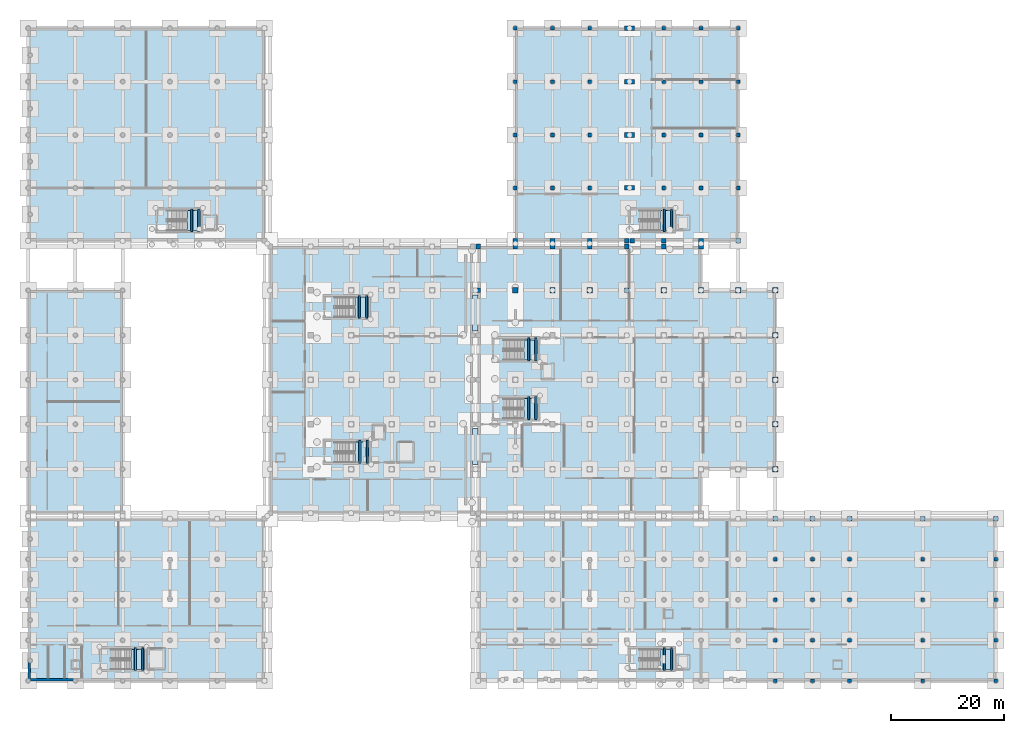
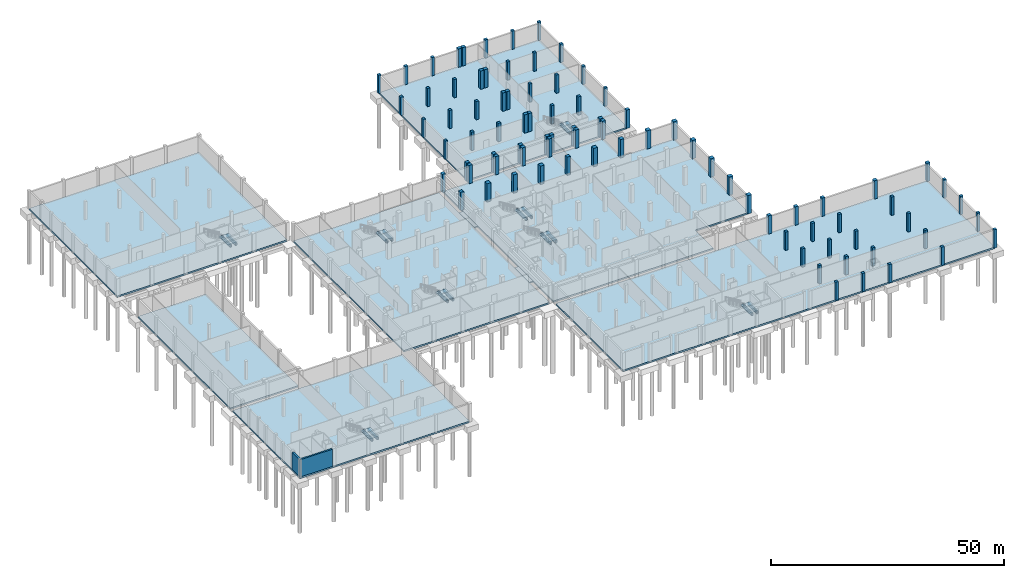
# One storey, part 13 of 29: 85 columns, 17 slabs, 16 beams, 2 walls, 8 elements without a shape of their own.
"""IFC4 building model written with IfcOpenShell, lengths in metres."""

from ifc_helpers import new_model, si_unit, direction, frame, frame_2d, origin, origin_2d, place, context, subcontext, project, spatial, polyline, rectangle, outline, extrude, material, layer, layer_set, material_profile, profile_set, type_object, element, aggregate, save


model = new_model("IFC4")

# Units and contexts
model_context = context("Model", 3, precision=1e-05, world=origin(), true_north=direction((0.0, 1.0)))
body_context = subcontext(model_context, "Body", "Model", "MODEL_VIEW")
ifc_project = project(units=[si_unit("LENGTHUNIT", "METRE"), si_unit("AREAUNIT", "SQUARE_METRE"), si_unit("VOLUMEUNIT", "CUBIC_METRE"), si_unit("PLANEANGLEUNIT", "RADIAN"), si_unit("MASSUNIT", "GRAM", prefix="KILO")], contexts=[model_context])

# Site, building, storey
site_placement = place(None, origin())
site = spatial("IfcSite", under=ifc_project, at=site_placement, CompositionType="ELEMENT")
building_placement = place(site_placement, origin())
building = spatial("IfcBuilding", under=site, at=building_placement, Name="Kelarvand Opera House", CompositionType="ELEMENT")
storey_placement = place(building_placement, frame((0.0, 0.0, -9.60009765625)))
storey = spatial("IfcBuildingStorey", under=building, at=storey_placement, Name="B2", CompositionType="ELEMENT", Elevation=-9.60009765625)

# Columns
ifc_material_1 = material(Name="Concrete C40/50", Category="concrete")
ifc_material_profile_1 = material_profile(ifc_material_1, rectangle(XDim=0.64990234375, YDim=0.64990234375, at=origin_2d()), Name="RC 650x650", Category="concrete")
ifc_profile_set_1 = profile_set([ifc_material_profile_1], Name="Concrete C40/50")
column_type_1 = type_object("IfcColumnType", Name="Structural Column RC 650x650 (Int) COL-650", PredefinedType="COLUMN", material=ifc_profile_set_1)
for number, where, z_axis, x_axis, name in (
    (1, (95.60009765625, 96.60009765625, 0.0), (0.0, 0.0, 1.0), (1.0, 0.0, 0.0), "V5 Column COL-650 at B2"),
    (2, (95.60009765625, 106.0, 0.0), (0.0, 0.0, 1.0), (1.0, 0.0, 0.0), "V5 Column COL-650 at B2"),
    (3, (95.60009765625, 115.5, 0.0), (0.0, 0.0, 1.0), (1.0, 0.0, 0.0), "V5 Column COL-650 at B2"),
    (4, (95.60009765625, 125.0, 0.0), (0.0, 0.0, 1.0), (1.0, 0.0, 0.0), "V5 Column COL-650 at B2"),
    (5, (102.199951171875, 96.60009765625, 0.0), (0.0, 0.0, 1.0), (1.0, 0.0, 0.0), "V5 Column COL-650 at B2"),
    (6, (102.199951171875, 106.0, 0.0), (0.0, 0.0, 1.0), (1.0, 0.0, 0.0), "V5 Column COL-650 at B2"),
    (7, (102.199951171875, 115.5, 0.0), (0.0, 0.0, 1.0), (1.0, 0.0, 0.0), "V5 Column COL-650 at B2"),
    (8, (102.199951171875, 125.0, 0.0), (0.0, 0.0, 1.0), (1.0, 0.0, 0.0), "V5 Column COL-650 at B2"),
    (9, (108.800048828125, 96.60009765625, 0.0), (0.0, 0.0, 1.0), (1.0, 0.0, 0.0), "V5 Column COL-650 at B2"),
    (10, (108.800048828125, 106.0, 0.0), (0.0, 0.0, 1.0), (1.0, 0.0, 0.0), "V5 Column COL-650 at B2"),
    (11, (108.800048828125, 115.5, 0.0), (0.0, 0.0, 1.0), (1.0, 0.0, 0.0), "V5 Column COL-650 at B2"),
    (12, (108.800048828125, 125.0, 0.0), (0.0, 0.0, 1.0), (1.0, 0.0, 0.0), "V5 Column COL-650 at B2"),
    (13, (122.0, 96.60009765625, 0.0), (0.0, 0.0, 1.0), (1.0, 0.0, 0.0), "V5 Column COL-650 at B2"),
    (14, (122.0, 106.0, 0.0), (0.0, 0.0, 1.0), (1.0, 0.0, 0.0), "V5 Column COL-650 at B2"),
    (15, (122.0, 115.5, 0.0), (0.0, 0.0, 1.0), (1.0, 0.0, 0.0), "V5 Column COL-650 at B2"),
    (16, (122.0, 125.0, 0.0), (0.0, 0.0, 1.0), (1.0, 0.0, 0.0), "V5 Column COL-650 at B2"),
    (17, (128.60009765625, 96.60009765625, 0.0), (0.0, 0.0, 1.0), (1.0, 0.0, 0.0), "V5 Column COL-650 at B2"),
    (18, (128.60009765625, 106.0, 0.0), (0.0, 0.0, 1.0), (1.0, 0.0, 0.0), "V5 Column COL-650 at B2"),
    (19, (128.60009765625, 115.5, 0.0), (0.0, 0.0, 1.0), (1.0, 0.0, 0.0), "V5 Column COL-650 at B2"),
    (20, (128.60009765625, 125.0, 0.0), (0.0, 0.0, 1.0), (1.0, 0.0, 0.0), "V5 Column COL-650 at B2"),
    (21, (135.199951171875, 96.60009765625, 0.0), (0.0, 0.0, 1.0), (1.0, 0.0, 0.0), "V5 Column COL-650 at B2"),
    (22, (135.199951171875, 106.0, 0.0), (0.0, 0.0, 1.0), (1.0, 0.0, 0.0), "V5 Column COL-650 at B2"),
    (23, (135.199951171875, 115.5, 0.0), (0.0, 0.0, 1.0), (1.0, 0.0, 0.0), "V5 Column COL-650 at B2"),
    (24, (135.199951171875, 125.0, 0.0), (0.0, 0.0, 1.0), (1.0, 0.0, 0.0), "V5 Column COL-650 at B2"),
    (25, (141.800048828125, 9.0, 0.0), (0.0, 0.0, 1.0), (1.0, 0.0, 0.0), "V6 Column COL-650 at B2"),
    (26, (141.800048828125, 16.199951171875, 0.0), (0.0, 0.0, 1.0), (1.0, 0.0, 0.0), "V6 Column COL-650 at B2"),
    (27, (141.800048828125, 23.39990234375, 0.0), (0.0, 0.0, 1.0), (1.0, 0.0, 0.0), "V6 Column COL-650 at B2"),
    (28, (141.800048828125, 30.60009765625, 0.0), (0.0, 0.0, 1.0), (1.0, 0.0, 0.0), "V6 Column COL-650 at B2"),
    (29, (148.39990234375, 9.0, 0.0), (0.0, 0.0, 1.0), (1.0, 0.0, 0.0), "V6 Column COL-650 at B2"),
    (30, (148.39990234375, 16.199951171875, 0.0), (0.0, 0.0, 1.0), (1.0, 0.0, 0.0), "V6 Column COL-650 at B2"),
    (31, (148.39990234375, 23.39990234375, 0.0), (0.0, 0.0, 1.0), (1.0, 0.0, 0.0), "V6 Column COL-650 at B2"),
    (32, (148.39990234375, 30.60009765625, 0.0), (0.0, 0.0, 1.0), (1.0, 0.0, 0.0), "V6 Column COL-650 at B2"),
    (33, (155.0, 9.0, 0.0), (0.0, 0.0, 1.0), (1.0, 0.0, 0.0), "V6 Column COL-650 at B2"),
    (34, (155.0, 16.199951171875, 0.0), (0.0, 0.0, 1.0), (1.0, 0.0, 0.0), "V6 Column COL-650 at B2"),
    (35, (155.0, 23.39990234375, 0.0), (0.0, 0.0, 1.0), (1.0, 0.0, 0.0), "V6 Column COL-650 at B2"),
    (36, (155.0, 30.60009765625, 0.0), (0.0, 0.0, 1.0), (1.0, 0.0, 0.0), "V6 Column COL-650 at B2"),
    (37, (168.0, 9.0, 0.0), (0.0, 0.0, 1.0), (1.0, 0.0, 0.0), "V6 Column COL-650 at B2"),
    (38, (168.0, 16.199951171875, 0.0), (0.0, 0.0, 1.0), (1.0, 0.0, 0.0), "V6 Column COL-650 at B2"),
    (39, (168.0, 23.39990234375, 0.0), (0.0, 0.0, 1.0), (1.0, 0.0, 0.0), "V6 Column COL-650 at B2"),
    (40, (168.0, 30.60009765625, 0.0), (0.0, 0.0, 1.0), (1.0, 0.0, 0.0), "V6 Column COL-650 at B2"),
    (41, (181.0, 9.0, 0.0), (0.0, 0.0, 1.0), (1.0, 0.0, 0.0), "V6 Column COL-650 at B2"),
    (42, (181.0, 16.199951171875, 0.0), (0.0, 0.0, 1.0), (1.0, 0.0, 0.0), "V6 Column COL-650 at B2"),
    (43, (181.0, 23.39990234375, 0.0), (0.0, 0.0, 1.0), (1.0, 0.0, 0.0), "V6 Column COL-650 at B2"),
    (44, (181.0, 30.60009765625, 0.0), (0.0, 0.0, 1.0), (1.0, 0.0, 0.0), "V6 Column COL-650 at B2"),
):
    element("IfcColumn", number, at=place(storey_placement, frame(where, z_axis=z_axis, x_axis=x_axis)), inside=storey, type_object=column_type_1, Name=name, PredefinedType="COLUMN", context=body_context, shape_type="SweptSolid", body=[
        extrude(rectangle(XDim=0.64990234375, YDim=0.64990234375, at=origin_2d()), origin(), (0.0, 0.0, 1.0), 4.800048828125),
    ])
ifc_material_profile_2 = material_profile(ifc_material_1, rectangle(XDim=0.820068359375, YDim=0.820068359375, at=origin_2d()), Name="RC 820x820", Category="concrete")
ifc_profile_set_2 = profile_set([ifc_material_profile_2], Name="Concrete C40/50")
column_type_2 = type_object("IfcColumnType", Name="Structural Column RC 820x820 (Int) COL-820", PredefinedType="COLUMN", material=ifc_profile_set_2)
for number, where, z_axis, x_axis, name in (
    (45, (89.0, 78.39990234375, 0.0), (0.0, 0.0, 1.0), (1.0, 0.0, 0.0), "V1 Column COL-820 at B2"),
    (46, (89.0, 86.199951171875, 0.0), (0.0, 0.0, 1.0), (1.0, 0.0, 0.0), "V1 Column COL-820 at B2"),
    (47, (95.60009765625, 86.199951171875, 0.0), (0.0, 0.0, 1.0), (1.0, 0.0, 0.0), "V1 Column COL-820 at B2"),
    (48, (102.199951171875, 86.199951171875, 0.0), (0.0, 0.0, 1.0), (1.0, 0.0, 0.0), "V1 Column COL-820 at B2"),
    (49, (108.800048828125, 86.199951171875, 0.0), (0.0, 0.0, 1.0), (1.0, 0.0, 0.0), "V1 Column COL-820 at B2"),
    (50, (115.39990234375, 78.39990234375, 0.0), (0.0, 0.0, 1.0), (1.0, 0.0, 0.0), "V1 Column COL-820 at B2"),
    (51, (115.39990234375, 86.199951171875, 0.0), (0.0, 0.0, 1.0), (1.0, 0.0, 0.0), "V1 Column COL-820 at B2"),
    (52, (122.0, 86.199951171875, 0.0), (0.0, 0.0, 1.0), (1.0, 0.0, 0.0), "V1 Column COL-820 at B2"),
    (53, (128.60009765625, 86.199951171875, 0.0), (0.0, 0.0, 1.0), (1.0, 0.0, 0.0), "V1 Column COL-820 at B2"),
    (54, (95.60009765625, 87.199951171875, 0.0), (0.0, 0.0, 1.0), (1.0, 0.0, 0.0), "V5 Column COL-820 at B2"),
    (55, (102.199951171875, 87.199951171875, 0.0), (0.0, 0.0, 1.0), (1.0, 0.0, 0.0), "V5 Column COL-820 at B2"),
    (56, (108.800048828125, 87.199951171875, 0.0), (0.0, 0.0, 1.0), (1.0, 0.0, 0.0), "V5 Column COL-820 at B2"),
    (57, (115.39990234375, 87.199951171875, 0.0), (0.0, 0.0, 1.0), (1.0, 0.0, 0.0), "V5 Column COL-820 at B2"),
    (58, (115.39990234375, 96.60009765625, 0.0), (0.0, 0.0, 1.0), (1.0, 0.0, 0.0), "V5 Column COL-820 at B2"),
    (59, (115.39990234375, 106.0, 0.0), (0.0, 0.0, 1.0), (1.0, 0.0, 0.0), "V5 Column COL-820 at B2"),
    (60, (115.39990234375, 115.5, 0.0), (0.0, 0.0, 1.0), (1.0, 0.0, 0.0), "V5 Column COL-820 at B2"),
    (61, (115.39990234375, 125.0, 0.0), (0.0, 0.0, 1.0), (1.0, 0.0, 0.0), "V5 Column COL-820 at B2"),
    (62, (116.39990234375, 87.199951171875, 0.0), (0.0, 0.0, 1.0), (1.0, 0.0, 0.0), "V5 Column COL-820 at B2"),
    (63, (116.39990234375, 96.60009765625, 0.0), (0.0, 0.0, 1.0), (1.0, 0.0, 0.0), "V5 Column COL-820 at B2"),
    (64, (116.39990234375, 106.0, 0.0), (0.0, 0.0, 1.0), (1.0, 0.0, 0.0), "V5 Column COL-820 at B2"),
    (65, (116.39990234375, 115.5, 0.0), (0.0, 0.0, 1.0), (1.0, 0.0, 0.0), "V5 Column COL-820 at B2"),
    (66, (116.39990234375, 125.0, 0.0), (0.0, 0.0, 1.0), (1.0, 0.0, 0.0), "V5 Column COL-820 at B2"),
    (67, (122.0, 87.199951171875, 0.0), (0.0, 0.0, 1.0), (1.0, 0.0, 0.0), "V5 Column COL-820 at B2"),
    (68, (128.60009765625, 87.199951171875, 0.0), (0.0, 0.0, 1.0), (1.0, 0.0, 0.0), "V5 Column COL-820 at B2"),
    (69, (135.199951171875, 87.199951171875, 0.0), (0.0, 0.0, 1.0), (1.0, 0.0, 0.0), "V5 Column COL-820 at B2"),
    (70, (141.800048828125, 37.800048828125, 0.0), (0.0, 0.0, 1.0), (1.0, 0.0, 0.0), "V6 Column COL-820 at B2"),
    (71, (148.39990234375, 37.800048828125, 0.0), (0.0, 0.0, 1.0), (1.0, 0.0, 0.0), "V6 Column COL-820 at B2"),
    (72, (155.0, 37.800048828125, 0.0), (0.0, 0.0, 1.0), (1.0, 0.0, 0.0), "V6 Column COL-820 at B2"),
    (73, (168.0, 37.800048828125, 0.0), (0.0, 0.0, 1.0), (1.0, 0.0, 0.0), "V6 Column COL-820 at B2"),
    (74, (181.0, 37.800048828125, 0.0), (0.0, 0.0, 1.0), (1.0, 0.0, 0.0), "V6 Column COL-820 at B2"),
):
    element("IfcColumn", number, at=place(storey_placement, frame(where, z_axis=z_axis, x_axis=x_axis)), inside=storey, type_object=column_type_2, Name=name, PredefinedType="COLUMN", context=body_context, shape_type="SweptSolid", body=[
        extrude(rectangle(XDim=0.820068359375, YDim=0.820068359375, at=origin_2d()), origin(), (0.0, 0.0, 1.0), 4.800048828125),
    ])
ifc_material_profile_3 = material_profile(ifc_material_1, rectangle(XDim=0.949951171875, YDim=0.949951171875, at=origin_2d()), Name="RC 950x950", Category="concrete")
ifc_profile_set_3 = profile_set([ifc_material_profile_3], Name="Concrete C40/50")
column_type_3 = type_object("IfcColumnType", Name="Structural Column RC 950x950 (Int) COL-950", PredefinedType="COLUMN", material=ifc_profile_set_3)
for number, where, z_axis, x_axis, name in (
    (75, (95.60009765625, 78.39990234375, 0.0), (0.0, 0.0, 1.0), (1.0, 0.0, 0.0), "V1 Column COL-950 at B2"),
    (76, (102.199951171875, 78.39990234375, 0.0), (0.0, 0.0, 1.0), (1.0, 0.0, 0.0), "V1 Column COL-950 at B2"),
    (77, (108.800048828125, 78.39990234375, 0.0), (0.0, 0.0, 1.0), (1.0, 0.0, 0.0), "V1 Column COL-950 at B2"),
    (78, (122.0, 78.39990234375, 0.0), (0.0, 0.0, 1.0), (1.0, 0.0, 0.0), "V1 Column COL-950 at B2"),
    (79, (128.60009765625, 78.39990234375, 0.0), (0.0, 0.0, 1.0), (1.0, 0.0, 0.0), "V1 Column COL-950 at B2"),
    (80, (135.199951171875, 78.39990234375, 0.0), (0.0, 0.0, 1.0), (1.0, 0.0, 0.0), "V1 Column COL-950 at B2"),
    (81, (141.800048828125, 46.60009765625, 0.0), (0.0, 0.0, 1.0), (1.0, 0.0, 0.0), "V1 Column COL-950 at B2"),
    (82, (141.800048828125, 54.60009765625, 0.0), (0.0, 0.0, 1.0), (1.0, 0.0, 0.0), "V1 Column COL-950 at B2"),
    (83, (141.800048828125, 62.5, 0.0), (0.0, 0.0, 1.0), (1.0, 0.0, 0.0), "V1 Column COL-950 at B2"),
    (84, (141.800048828125, 70.39990234375, 0.0), (0.0, 0.0, 1.0), (1.0, 0.0, 0.0), "V1 Column COL-950 at B2"),
    (85, (141.800048828125, 78.39990234375, 0.0), (0.0, 0.0, 1.0), (1.0, 0.0, 0.0), "V1 Column COL-950 at B2"),
):
    element("IfcColumn", number, at=place(storey_placement, frame(where, z_axis=z_axis, x_axis=x_axis)), inside=storey, type_object=column_type_3, Name=name, PredefinedType="COLUMN", context=body_context, shape_type="SweptSolid", body=[
        extrude(rectangle(XDim=0.949951171875, YDim=0.949951171875, at=origin_2d()), origin(), (0.0, 0.0, 1.0), 4.800048828125),
    ])

# Beams
ifc_material_2 = material(Name="Concrete C35/45", Category="concrete")
ifc_material_profile_4 = material_profile(ifc_material_2, rectangle(XDim=0.35009765625, YDim=0.60009765625, at=origin_2d()), Name="RC 350x600", Category="concrete")
ifc_profile_set_4 = profile_set([ifc_material_profile_4], Name="Concrete C35/45")
beam_type = type_object("IfcBeamType", Name="Structural Beam RC 350x600 BM-RC350x600", PredefinedType="BEAM", material=ifc_profile_set_4)
for number, where, z_axis, x_axis, name in (
    (86, (97.949951171875, 65.85009765625, 1.900146484375), (0.0, 1.0, 0.0), (-1.0, 0.0, 0.0), "C1 Stair Half-Landing Beam 1 B2"),
    (87, (99.25, 65.85009765625, 1.900146484375), (0.0, 1.0, 0.0), (-1.0, 0.0, 0.0), "C1 Stair Half-Landing Beam 2 B2"),
):
    element("IfcBeam", number, at=place(storey_placement, frame(where, z_axis=z_axis, x_axis=x_axis)), inside=storey, type_object=beam_type, Name=name, PredefinedType="BEAM", context=body_context, shape_type="SweptSolid", body=[
        extrude(rectangle(XDim=0.35009765625, YDim=0.60009765625, at=origin_2d()), origin(), (0.0, 0.0, 1.0), 4.099853515625),
    ])
for number, where, z_axis, x_axis, name in (
    (88, (67.949951171875, 47.64990234375, 1.900146484375), (0.0, 1.0, 0.0), (-1.0, 0.0, 0.0), "C2 Stair Half-Landing Beam 1 B2"),
    (89, (69.25, 47.64990234375, 1.900146484375), (0.0, 1.0, 0.0), (-1.0, 0.0, 0.0), "C2 Stair Half-Landing Beam 2 B2"),
):
    element("IfcBeam", number, at=place(storey_placement, frame(where, z_axis=z_axis, x_axis=x_axis)), inside=storey, type_object=beam_type, Name=name, PredefinedType="BEAM", context=body_context, shape_type="SweptSolid", body=[
        extrude(rectangle(XDim=0.35009765625, YDim=0.60009765625, at=origin_2d()), origin(), (0.0, 0.0, 1.0), 4.10009765625),
    ])
for number, where, z_axis, x_axis, name in (
    (90, (67.85009765625, 73.449951171875, 1.900146484375), (0.0, 1.0, 0.0), (-1.0, 0.0, 0.0), "C3 Stair Half-Landing Beam 1 B2"),
    (91, (69.14990234375, 73.449951171875, 1.900146484375), (0.0, 1.0, 0.0), (-1.0, 0.0, 0.0), "C3 Stair Half-Landing Beam 2 B2"),
):
    element("IfcBeam", number, at=place(storey_placement, frame(where, z_axis=z_axis, x_axis=x_axis)), inside=storey, type_object=beam_type, Name=name, PredefinedType="BEAM", context=body_context, shape_type="SweptSolid", body=[
        extrude(rectangle(XDim=0.35009765625, YDim=0.60009765625, at=origin_2d()), origin(), (0.0, 0.0, 1.0), 4.0),
    ])
for number, where, z_axis, x_axis, name in (
    (92, (97.949951171875, 55.39990234375, 1.900146484375), (0.0, 1.0, 0.0), (-1.0, 0.0, 0.0), "C4 Stair Half-Landing Beam 1 B2"),
    (93, (99.25, 55.39990234375, 1.900146484375), (0.0, 1.0, 0.0), (-1.0, 0.0, 0.0), "C4 Stair Half-Landing Beam 2 B2"),
):
    element("IfcBeam", number, at=place(storey_placement, frame(where, z_axis=z_axis, x_axis=x_axis)), inside=storey, type_object=beam_type, Name=name, PredefinedType="BEAM", context=body_context, shape_type="SweptSolid", body=[
        extrude(rectangle(XDim=0.35009765625, YDim=0.60009765625, at=origin_2d()), origin(), (0.0, 0.0, 1.0), 4.10009765625),
    ])
for number, where, z_axis, x_axis, name in (
    (94, (38.050048828125, 88.85009765625, 1.900146484375), (0.0, 1.0, 0.0), (-1.0, 0.0, 0.0), "C5 Stair Half-Landing Beam 1 B2"),
    (95, (39.35009765625, 88.85009765625, 1.900146484375), (0.0, 1.0, 0.0), (-1.0, 0.0, 0.0), "C5 Stair Half-Landing Beam 2 B2"),
    (96, (28.050048828125, 10.85009765625, 1.900146484375), (0.0, 1.0, 0.0), (-1.0, 0.0, 0.0), "C6 Stair Half-Landing Beam 1 B2"),
    (97, (29.35009765625, 10.85009765625, 1.900146484375), (0.0, 1.0, 0.0), (-1.0, 0.0, 0.0), "C6 Stair Half-Landing Beam 2 B2"),
    (98, (122.050048828125, 88.85009765625, 1.900146484375), (0.0, 1.0, 0.0), (-1.0, 0.0, 0.0), "C7 Stair Half-Landing Beam 1 B2"),
    (99, (123.35009765625, 88.85009765625, 1.900146484375), (0.0, 1.0, 0.0), (-1.0, 0.0, 0.0), "C7 Stair Half-Landing Beam 2 B2"),
    (100, (122.050048828125, 10.85009765625, 1.900146484375), (0.0, 1.0, 0.0), (-1.0, 0.0, 0.0), "C8 Stair Half-Landing Beam 1 B2"),
    (101, (123.35009765625, 10.85009765625, 1.900146484375), (0.0, 1.0, 0.0), (-1.0, 0.0, 0.0), "C8 Stair Half-Landing Beam 2 B2"),
):
    element("IfcBeam", number, at=place(storey_placement, frame(where, z_axis=z_axis, x_axis=x_axis)), inside=storey, type_object=beam_type, Name=name, PredefinedType="BEAM", context=body_context, shape_type="SweptSolid", body=[
        extrude(rectangle(XDim=0.35009765625, YDim=0.60009765625, at=origin_2d()), origin(), (0.0, 0.0, 1.0), 4.0),
    ])

# Slabs
ifc_layer_1 = layer(ifc_material_2, 0.39990234375, Name="Concrete C35/45", Category="concrete")
ifc_layer_set_1 = layer_set([ifc_layer_1], Name="Concrete C35/45")
slab_type_1 = type_object("IfcSlabType", Name="Base Raft Slab 400", PredefinedType="BASESLAB", material=ifc_layer_set_1)
slab_1_placement = place(storey_placement, frame((0.0, 0.0, -0.39990234375)))
element("IfcSlab", 102, at=slab_1_placement, inside=storey, type_object=slab_type_1, Name="V1 B2 Structural Slab 1", PredefinedType="BASESLAB", context=body_context, shape_type="SweptSolid", body=[
    extrude(outline(polyline([(128.60009765625, 38.800048828125), (89.0, 38.800048828125), (89.0, 46.60009765625), (89.0, 78.39990234375), (89.0, 86.199951171875), (128.60009765625, 86.199951171875), (128.60009765625, 78.39990234375), (141.800048828125, 78.39990234375), (141.800048828125, 46.60009765625), (128.60009765625, 46.60009765625), (128.60009765625, 38.800048828125)])), origin(), (0.0, 0.0, 1.0), 0.39990234375),
])
slab_2_placement = place(storey_placement, frame((0.0, 0.0, -0.39990234375)))
element("IfcSlab", 103, at=slab_2_placement, inside=storey, type_object=slab_type_1, Name="V2 B2 Structural Slab 9", PredefinedType="BASESLAB", context=body_context, shape_type="SweptSolid", body=[
    extrude(outline(polyline([(88.0, 38.800048828125), (88.0, 86.199951171875), (52.0, 86.199951171875), (52.0, 38.800048828125), (88.0, 38.800048828125)])), origin(), (0.0, 0.0, 1.0), 0.39990234375),
])
slab_3_placement = place(storey_placement, frame((0.0, 0.0, -0.39990234375)))
element("IfcSlab", 104, at=slab_3_placement, inside=storey, type_object=slab_type_1, Name="V3 B2 Structural Slab 18", PredefinedType="BASESLAB", context=body_context, shape_type="SweptSolid", body=[
    extrude(outline(polyline([(51.0, 87.199951171875), (51.0, 125.0), (9.0, 125.0), (9.0, 87.199951171875), (51.0, 87.199951171875)])), origin(), (0.0, 0.0, 1.0), 0.39990234375),
])
slab_4_placement = place(storey_placement, frame((0.0, 0.0, -0.39990234375)))
element("IfcSlab", 105, at=slab_4_placement, inside=storey, type_object=slab_type_1, Name="V4 B2 Structural Slab 24", PredefinedType="BASESLAB", context=body_context, shape_type="SweptSolid", body=[
    extrude(outline(polyline([(9.0, 9.0), (9.0, 37.800048828125), (51.0, 37.800048828125), (51.0, 9.0), (9.0, 9.0)])), origin(), (0.0, 0.0, 1.0), 0.39990234375),
])
slab_5_placement = place(storey_placement, frame((0.0, 0.0, -0.39990234375)))
element("IfcSlab", 106, at=slab_5_placement, inside=storey, type_object=slab_type_1, Name="V4 B2 Structural Slab 25", PredefinedType="BASESLAB", context=body_context, shape_type="SweptSolid", body=[
    extrude(outline(polyline([(9.0, 38.800048828125), (9.0, 78.39990234375), (25.800048828125, 78.39990234375), (25.800048828125, 38.800048828125), (9.0, 38.800048828125)])), origin(), (0.0, 0.0, 1.0), 0.39990234375),
])
slab_6_placement = place(storey_placement, frame((0.0, 0.0, -0.39990234375)))
element("IfcSlab", 107, at=slab_6_placement, inside=storey, type_object=slab_type_1, Name="V5 B2 Structural Slab 33", PredefinedType="BASESLAB", context=body_context, shape_type="SweptSolid", body=[
    extrude(outline(polyline([(135.199951171875, 87.199951171875), (135.199951171875, 125.0), (95.60009765625, 125.0), (95.60009765625, 87.199951171875), (135.199951171875, 87.199951171875)])), origin(), (0.0, 0.0, 1.0), 0.39990234375),
])
slab_7_placement = place(storey_placement, frame((0.0, 0.0, -0.39990234375)))
element("IfcSlab", 108, at=slab_7_placement, inside=storey, type_object=slab_type_1, Name="V6 B2 Structural Slab 38", PredefinedType="BASESLAB", context=body_context, shape_type="SweptSolid", body=[
    extrude(outline(polyline([(181.0, 9.0), (181.0, 37.800048828125), (89.0, 37.800048828125), (89.0, 9.0), (181.0, 9.0)])), origin(), (0.0, 0.0, 1.0), 0.39990234375),
])

# Stair, slab
stair_type = type_object("IfcStairType", Name="Dogleg Concrete Exit Stair 1660mm 28R STA-01", PredefinedType="HALF_TURN_STAIR", material=ifc_material_2)
stair_1_placement = place(storey_placement, origin())
stair_1 = element("IfcStair", 109, at=stair_1_placement, inside=storey, type_object=stair_type, Name="B2 Auditorium North Firefighting and Public Core C1 Stair ST-01", PredefinedType="HALF_TURN_STAIR")
ifc_layer_2 = layer(ifc_material_2, 0.199951171875, Name="Concrete C35/45", Category="concrete")
ifc_layer_set_2 = layer_set([ifc_layer_2], Name="Concrete C35/45")
slab_type_2 = type_object("IfcSlabType", Name="Precast Stair Half-Landing Slab 200", PredefinedType="LANDING", material=ifc_layer_set_2)
slab_8_placement = place(storey_placement, frame((0.0, 0.0, 2.2001953125)))
slab_8 = element("IfcSlab", 110, at=slab_8_placement, type_object=slab_type_2, Name="ST-01 landing 1", PredefinedType="LANDING", context=body_context, shape_type="SweptSolid", body=[
    extrude(outline(polyline([(97.10009765625, 66.0), (99.60009765625, 66.0), (99.60009765625, 69.60009765625), (97.10009765625, 69.60009765625), (97.10009765625, 66.0)])), origin(), (0.0, 0.0, 1.0), 0.199951171875),
])
aggregate(stair_1, [slab_8])

stair_2_placement = place(storey_placement, origin())
stair_2 = element("IfcStair", 111, at=stair_2_placement, inside=storey, type_object=stair_type, Name="B2 Stage House South Firefighting and Goods Core C2 Stair ST-02", PredefinedType="HALF_TURN_STAIR")
slab_9_placement = place(storey_placement, frame((0.0, 0.0, 2.2001953125)))
slab_9 = element("IfcSlab", 112, at=slab_9_placement, type_object=slab_type_2, Name="ST-02 landing 1", PredefinedType="LANDING", context=body_context, shape_type="SweptSolid", body=[
    extrude(outline(polyline([(67.10009765625, 47.800048828125), (69.60009765625, 47.800048828125), (69.60009765625, 51.39990234375), (67.10009765625, 51.39990234375), (67.10009765625, 47.800048828125)])), origin(), (0.0, 0.0, 1.0), 0.199951171875),
])
aggregate(stair_2, [slab_9])

stair_3_placement = place(storey_placement, origin())
stair_3 = element("IfcStair", 113, at=stair_3_placement, inside=storey, type_object=stair_type, Name="B2 Fly Tower North Technical Core C3 Stair ST-03", PredefinedType="HALF_TURN_STAIR")
slab_10_placement = place(storey_placement, frame((0.0, 0.0, 2.2001953125)))
slab_10 = element("IfcSlab", 114, at=slab_10_placement, type_object=slab_type_2, Name="ST-03 landing 1", PredefinedType="LANDING", context=body_context, shape_type="SweptSolid", body=[
    extrude(outline(polyline([(67.10009765625, 73.60009765625), (69.5, 73.60009765625), (69.5, 77.199951171875), (67.10009765625, 77.199951171875), (67.10009765625, 73.60009765625)])), origin(), (0.0, 0.0, 1.0), 0.199951171875),
])
aggregate(stair_3, [slab_10])

stair_4_placement = place(storey_placement, origin())
stair_4 = element("IfcStair", 115, at=stair_4_placement, inside=storey, type_object=stair_type, Name="B2 Auditorium South Foyer Core C4 Stair ST-04", PredefinedType="HALF_TURN_STAIR")
slab_11_placement = place(storey_placement, frame((0.0, 0.0, 2.2001953125)))
slab_11 = element("IfcSlab", 116, at=slab_11_placement, type_object=slab_type_2, Name="ST-04 landing 1", PredefinedType="LANDING", context=body_context, shape_type="SweptSolid", body=[
    extrude(outline(polyline([(97.10009765625, 55.550048828125), (99.60009765625, 55.550048828125), (99.60009765625, 59.14990234375), (97.10009765625, 59.14990234375), (97.10009765625, 55.550048828125)])), origin(), (0.0, 0.0, 1.0), 0.199951171875),
])
aggregate(stair_4, [slab_11])

stair_5_placement = place(storey_placement, origin())
stair_5 = element("IfcStair", 117, at=stair_5_placement, inside=storey, type_object=stair_type, Name="B2 Rehearsal Pavilion Core C5 Stair ST-05", PredefinedType="HALF_TURN_STAIR")
slab_12_placement = place(storey_placement, frame((0.0, 0.0, 2.2001953125)))
slab_12 = element("IfcSlab", 118, at=slab_12_placement, type_object=slab_type_2, Name="ST-05 landing 1", PredefinedType="LANDING", context=body_context, shape_type="SweptSolid", body=[
    extrude(outline(polyline([(37.300048828125, 89.0), (39.699951171875, 89.0), (39.699951171875, 92.60009765625), (37.300048828125, 92.60009765625), (37.300048828125, 89.0)])), origin(), (0.0, 0.0, 1.0), 0.199951171875),
])
aggregate(stair_5, [slab_12])

stair_6_placement = place(storey_placement, origin())
stair_6 = element("IfcStair", 119, at=stair_6_placement, inside=storey, type_object=stair_type, Name="B2 Scenery Workshop and Freight Core C6 Stair ST-06", PredefinedType="HALF_TURN_STAIR")
slab_13_placement = place(storey_placement, frame((0.0, 0.0, 2.2001953125)))
slab_13 = element("IfcSlab", 120, at=slab_13_placement, type_object=slab_type_2, Name="ST-06 landing 1", PredefinedType="LANDING", context=body_context, shape_type="SweptSolid", body=[
    extrude(outline(polyline([(27.300048828125, 11.0), (29.699951171875, 11.0), (29.699951171875, 14.60009765625), (27.300048828125, 14.60009765625), (27.300048828125, 11.0)])), origin(), (0.0, 0.0, 1.0), 0.199951171875),
])
aggregate(stair_6, [slab_13])

stair_7_placement = place(storey_placement, origin())
stair_7 = element("IfcStair", 121, at=stair_7_placement, inside=storey, type_object=stair_type, Name="B2 North Park Foyer Core C7 Stair ST-07", PredefinedType="HALF_TURN_STAIR")
slab_14_placement = place(storey_placement, frame((0.0, 0.0, 2.2001953125)))
slab_14 = element("IfcSlab", 122, at=slab_14_placement, type_object=slab_type_2, Name="ST-07 landing 1", PredefinedType="LANDING", context=body_context, shape_type="SweptSolid", body=[
    extrude(outline(polyline([(121.300048828125, 89.0), (123.699951171875, 89.0), (123.699951171875, 92.60009765625), (121.300048828125, 92.60009765625), (121.300048828125, 89.0)])), origin(), (0.0, 0.0, 1.0), 0.199951171875),
])
aggregate(stair_7, [slab_14])

stair_8_placement = place(storey_placement, origin())
stair_8 = element("IfcStair", 123, at=stair_8_placement, inside=storey, type_object=stair_type, Name="B2 South Dressing and Production Core C8 Stair ST-08", PredefinedType="HALF_TURN_STAIR")
slab_15_placement = place(storey_placement, frame((0.0, 0.0, 2.2001953125)))
slab_15 = element("IfcSlab", 124, at=slab_15_placement, type_object=slab_type_2, Name="ST-08 landing 1", PredefinedType="LANDING", context=body_context, shape_type="SweptSolid", body=[
    extrude(outline(polyline([(121.300048828125, 11.0), (123.699951171875, 11.0), (123.699951171875, 14.60009765625), (121.300048828125, 14.60009765625), (121.300048828125, 11.0)])), origin(), (0.0, 0.0, 1.0), 0.199951171875),
])
aggregate(stair_8, [slab_15])

# Slabs
ifc_layer_3 = layer(ifc_material_2, 0.260009765625, Name="Concrete C35/45", Category="concrete")
ifc_layer_set_3 = layer_set([ifc_layer_3], Name="Concrete C35/45")
slab_type_3 = type_object("IfcSlabType", Name="Seismic Bridge Deck Slab 260", PredefinedType="FLOOR", material=ifc_layer_set_3)
slab_16_placement = place(storey_placement, frame((0.0, 0.0, -0.260009765625)))
element("IfcSlab", 125, at=slab_16_placement, inside=storey, type_object=slab_type_3, Name="Seismic Joint Sliding Bridge BR-JP-N B2", PredefinedType="FLOOR", context=body_context, shape_type="SweptSolid", body=[
    extrude(outline(polyline([(88.0, 71.199951171875), (89.0, 71.199951171875), (89.0, 77.60009765625), (88.0, 77.60009765625), (88.0, 71.199951171875)])), origin(), (0.0, 0.0, 1.0), 0.260009765625),
])
slab_17_placement = place(storey_placement, frame((0.0, 0.0, -0.260009765625)))
element("IfcSlab", 126, at=slab_17_placement, inside=storey, type_object=slab_type_3, Name="Seismic Joint Sliding Bridge BR-JP-S B2", PredefinedType="FLOOR", context=body_context, shape_type="SweptSolid", body=[
    extrude(outline(polyline([(88.0, 47.39990234375), (89.0, 47.39990234375), (89.0, 53.800048828125), (88.0, 53.800048828125), (88.0, 47.39990234375)])), origin(), (0.0, 0.0, 1.0), 0.260009765625),
])

# Walls
ifc_layer_4 = layer(ifc_material_2, 0.419921875, Name="Concrete C35/45", Category="concrete")
ifc_layer_set_4 = layer_set([ifc_layer_4], Name="Concrete C35/45")
wall_type = type_object("IfcWallType", Name="Basement Perimeter Retaining Wall 420", PredefinedType="SHEAR", material=ifc_layer_set_4)
wall_1_placement = place(storey_placement, frame((9.2099609375, 9.324951171875, 0.0), z_axis=(0.0, 0.0, 1.0), x_axis=(0.0, 1.0, 0.0)))
element("IfcWall", 127, at=wall_1_placement, inside=storey, type_object=wall_type, Name="V4 B2 Retaining Wall 430", PredefinedType="SHEAR", context=body_context, shape_type="SweptSolid", body=[
    extrude(rectangle(XDim=2.97509765625, YDim=0.419921875, at=frame_2d((1.487548828125, 0.0))), origin(), (0.0, 0.0, 1.0), 4.5),
])
wall_2_placement = place(storey_placement, frame((17.074951171875, 9.2099609375, 0.0), z_axis=(0.0, 0.0, 1.0), x_axis=(-1.0, 0.0, 0.0)))
element("IfcWall", 128, at=wall_2_placement, inside=storey, type_object=wall_type, Name="V4 B2 Retaining Wall 451", PredefinedType="SHEAR", context=body_context, shape_type="SweptSolid", body=[
    extrude(rectangle(XDim=7.75, YDim=0.419921875, at=frame_2d((3.875, 0.0))), origin(), (0.0, 0.0, 1.0), 4.5),
])

save(model, "model.ifc")
